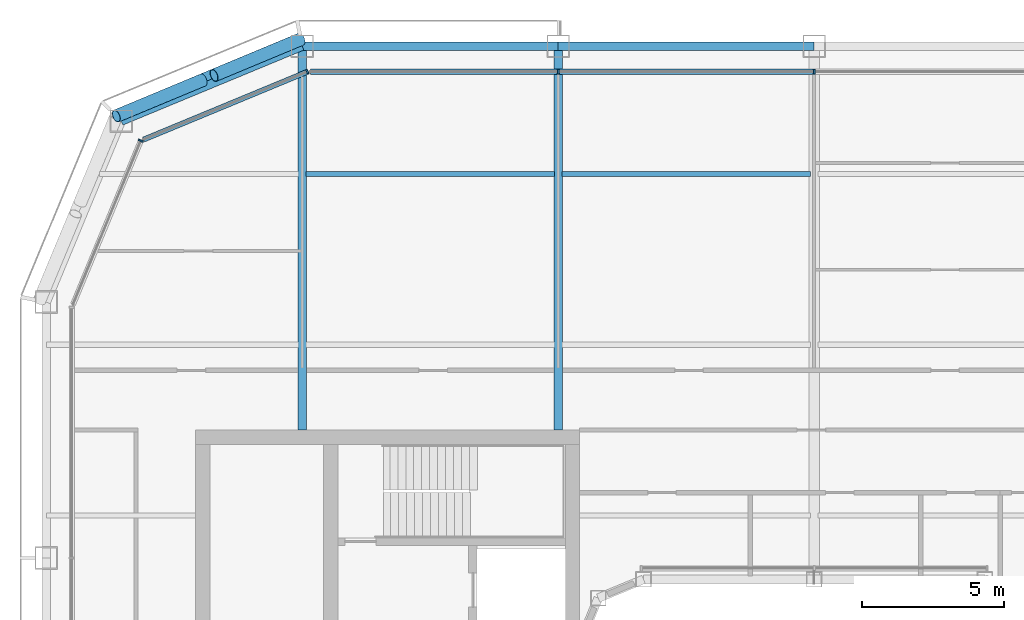
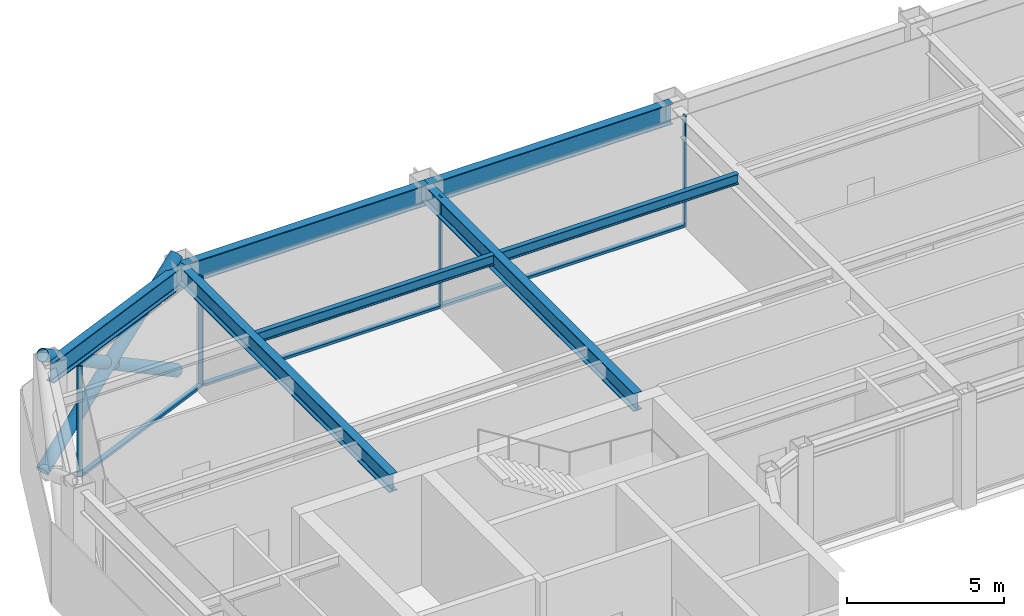
# One storey, part 8 of 23: 10 members, 7 beams, 3 elements without a shape of their own.
"""IFC4 building model written with IfcOpenShell, lengths in metres."""

from ifc_helpers import new_model, si_unit, direction, frame, origin, origin_2d, place, context, subcontext, project, spatial, rectangle, hollow_circle, i_section, extrude, material, layer, layer_set, material_profile, profile_set, type_object, element, aggregate, save


model = new_model("IFC4")

# Units and contexts
model_context = context("Model", 3, precision=1e-05, world=origin(), true_north=direction((0.0, 1.0)))
body_context = subcontext(model_context, "Body", "Model", "MODEL_VIEW")
ifc_project = project(units=[si_unit("LENGTHUNIT", "METRE"), si_unit("AREAUNIT", "SQUARE_METRE"), si_unit("VOLUMEUNIT", "CUBIC_METRE"), si_unit("PLANEANGLEUNIT", "RADIAN"), si_unit("MASSUNIT", "GRAM", prefix="KILO")], contexts=[model_context])

# Site, building, storey
site_placement = place(None, origin())
site = spatial("IfcSite", under=ifc_project, at=site_placement, CompositionType="ELEMENT")
building_placement = place(site_placement, origin())
building = spatial("IfcBuilding", under=site, at=building_placement, Name="Siwar Civic Tower", CompositionType="ELEMENT")
storey_placement = place(building_placement, frame((0.0, 0.0, 273.699951171875)))
storey = spatial("IfcBuildingStorey", under=building, at=storey_placement, Name="L59", CompositionType="ELEMENT", Elevation=273.699951171875)

# Curtain wall, members
ifc_material_1 = material(Name="Aluminium and glass", Category="aluminium")
ifc_layer_1 = layer(ifc_material_1, 0.179931640625)
ifc_layer_set_1 = layer_set([ifc_layer_1], Name="Aluminium and glass")
curtain_wall_type_1 = type_object("IfcCurtainWallType", Name="ENV-CW-C", PredefinedType="NOTDEFINED", material=ifc_layer_set_1)
curtain_wall_1_placement = place(storey_placement, origin())
curtain_wall_1 = element("IfcCurtainWall", 1, at=curtain_wall_1_placement, inside=storey, type_object=curtain_wall_type_1, Name="Curtain wall C N", PredefinedType="NOTDEFINED")
ifc_material_2 = material(Name="Aluminium 6063-T6", Category="aluminium")
ifc_material_profile_1 = material_profile(ifc_material_2, rectangle(XDim=0.179931640625, YDim=0.06005859375, at=origin_2d()), Name="AL 180x60")
ifc_profile_set_1 = profile_set([ifc_material_profile_1], Name="Aluminium 6063-T6")
member_type_1 = type_object("IfcMemberType", Name="ENV-MULLION-C", PredefinedType="MULLION", material=ifc_profile_set_1)
member_1_placement = place(storey_placement, frame((0.0, 26.10009765625, 0.0), z_axis=(0.0, 0.0, 1.0), x_axis=(0.0, -1.0, 0.0)))
member_1 = element("IfcMember", 2, at=member_1_placement, type_object=member_type_1, Name="Mullion C N 3", PredefinedType="MULLION", context=body_context, shape_type="SweptSolid", body=[
    extrude(rectangle(XDim=0.179931640625, YDim=0.06005859375, at=origin_2d()), origin(), (0.0, 0.0, 1.0), 4.300048828125),
])
member_2_placement = place(storey_placement, frame((-9.0, 26.10009765625, 0.0), z_axis=(0.0, 0.0, 1.0), x_axis=(0.0, -1.0, 0.0)))
member_2 = element("IfcMember", 3, at=member_2_placement, type_object=member_type_1, Name="Mullion C N 4", PredefinedType="MULLION", context=body_context, shape_type="SweptSolid", body=[
    extrude(rectangle(XDim=0.179931640625, YDim=0.06005859375, at=origin_2d()), origin(), (0.0, 0.0, 1.0), 4.300048828125),
])

# Curtain wall, member
ifc_material_3 = material(Name="Aluminium clad insulated panel", Category="aluminium")
ifc_layer_2 = layer(ifc_material_3, 0.179931640625)
ifc_layer_set_2 = layer_set([ifc_layer_2], Name="Aluminium clad insulated panel")
curtain_wall_type_2 = type_object("IfcCurtainWallType", Name="ENV-CW-CX", PredefinedType="NOTDEFINED", material=ifc_layer_set_2)
curtain_wall_2_placement = place(storey_placement, origin())
curtain_wall_2 = element("IfcCurtainWall", 4, at=curtain_wall_2_placement, inside=storey, type_object=curtain_wall_type_2, Name="Curtain wall C NW1", PredefinedType="NOTDEFINED")
member_3_placement = place(storey_placement, frame((-17.821044921875, 26.10009765625, 0.0), z_axis=(0.0, 0.0, 1.0), x_axis=(0.382683432365, -0.923879532511, 0.0)))
member_3 = element("IfcMember", 5, at=member_3_placement, type_object=member_type_1, Name="Mullion C NW1 1", PredefinedType="MULLION", context=body_context, shape_type="SweptSolid", body=[
    extrude(rectangle(XDim=0.179931640625, YDim=0.06005859375, at=origin_2d()), origin(), (0.0, 0.0, 1.0), 4.300048828125),
])

curtain_wall_3_placement = place(storey_placement, origin())
curtain_wall_3 = element("IfcCurtainWall", 6, at=curtain_wall_3_placement, inside=storey, type_object=curtain_wall_type_2, Name="Curtain wall C NW2", PredefinedType="NOTDEFINED")
member_4_placement = place(storey_placement, frame((-23.675048828125, 23.675048828125, 0.0), z_axis=(0.0, 0.0, 1.0), x_axis=(0.923879532511, -0.382683432365, 0.0)))
member_4 = element("IfcMember", 7, at=member_4_placement, type_object=member_type_1, Name="Mullion C NW2 1", PredefinedType="MULLION", context=body_context, shape_type="SweptSolid", body=[
    extrude(rectangle(XDim=0.179931640625, YDim=0.06005859375, at=origin_2d()), origin(), (0.0, 0.0, 1.0), 4.300048828125),
])
aggregate(curtain_wall_3, [member_4])

# Member
ifc_material_4 = material(Name="Aluminium 6063-T6", Category="aluminium")
ifc_material_profile_2 = material_profile(ifc_material_4, rectangle(XDim=0.179931640625, YDim=0.10009765625, at=origin_2d()), Name="AL 180x100")
ifc_profile_set_2 = profile_set([ifc_material_profile_2], Name="Aluminium 6063-T6")
member_type_2 = type_object("IfcMemberType", Name="ENV-TRANSOM-C", PredefinedType="USERDEFINED", material=ifc_profile_set_2)
member_5_placement = place(storey_placement, frame((-0.030029296875, 26.10009765625, 0.050048828125), z_axis=(-1.0, 0.0, 0.0), x_axis=(0.0, -1.0, 0.0)))
member_5 = element("IfcMember", 8, at=member_5_placement, type_object=member_type_2, Name="Transom C N 3", ObjectType="TRANSOM", PredefinedType="USERDEFINED", context=body_context, shape_type="SweptSolid", body=[
    extrude(rectangle(XDim=0.179931640625, YDim=0.10009765625, at=origin_2d()), origin(), (0.0, 0.0, 1.0), 8.93994140625),
])

member_6_placement = place(storey_placement, frame((-9.030029296875, 26.10009765625, 0.050048828125), z_axis=(-1.0, 0.0, 0.0), x_axis=(0.0, -1.0, 0.0)))
member_6 = element("IfcMember", 9, at=member_6_placement, type_object=member_type_2, Name="Transom C N 4", ObjectType="TRANSOM", PredefinedType="USERDEFINED", context=body_context, shape_type="SweptSolid", body=[
    extrude(rectangle(XDim=0.179931640625, YDim=0.10009765625, at=origin_2d()), origin(), (0.0, 0.0, 1.0), 8.68603515625),
])

aggregate(curtain_wall_1, [member_1, member_2, member_5, member_6])

member_7_placement = place(storey_placement, frame((-17.8486328125, 26.088623046875, 0.050048828125), z_axis=(-0.923882011223, -0.38267744817, 0.0), x_axis=(0.38267744817, -0.923882011223, 0.0)))
member_7 = element("IfcMember", 10, at=member_7_placement, type_object=member_type_2, Name="Transom C NW1 1", ObjectType="TRANSOM", PredefinedType="USERDEFINED", context=body_context, shape_type="SweptSolid", body=[
    extrude(rectangle(XDim=0.179931640625, YDim=0.10009765625, at=origin_2d()), origin(), (0.0, 0.0, 1.0), 6.201904296875),
])

aggregate(curtain_wall_2, [member_3, member_7])

# Members
ifc_material_5 = material(Name="Steel S355", Category="steel")
ifc_material_profile_3 = material_profile(ifc_material_5, hollow_circle(Radius=0.228515625, WallThickness=0.02001953125, at=origin_2d()), Name="CHS457x20")
ifc_profile_set_3 = profile_set([ifc_material_profile_3], Name="Steel S355")
member_type_3 = type_object("IfcMemberType", Name="STR-BR-CHS457x20", PredefinedType="BRACE", material=ifc_profile_set_3)
member_8_placement = place(storey_placement, frame((-24.540771484375, 24.540771484375, 0.0), z_axis=(0.777554562952, 0.323905527954, 0.538975055633), x_axis=(-0.384538969033, 0.923108759191, 0.0)))
element("IfcMember", 11, at=member_8_placement, inside=storey, type_object=member_type_3, Name="L59/brc/CNW1-19-0-0", PredefinedType="BRACE", context=body_context, shape_type="SweptSolid", body=[
    extrude(hollow_circle(Radius=0.228515625, WallThickness=0.02001953125, at=origin_2d()), origin(), (0.0, 0.0, 1.0), 8.34912109375),
])
for number, where, z_axis, x_axis, name in (
    (12, (-18.048828125, 27.2451171875, 0.0), (-0.777546448489, -0.323884455881, 0.538999424564), (0.38452107079, -0.92311621485, 0.0), "L59/brc/CNW1-19-0-4"),
    (13, (-21.486572265625, 25.81298828125, 2.383056640625), (-0.777572496853, -0.323895306243, 0.538955325357), (0.38452107079, -0.92311621485, 0.0), "L59/brc/CNW1-19-0-5"),
):
    element("IfcMember", number, at=place(storey_placement, frame(where, z_axis=z_axis, x_axis=x_axis)), inside=storey, type_object=member_type_3, Name=name, PredefinedType="BRACE", context=body_context, shape_type="SweptSolid", body=[
        extrude(hollow_circle(Radius=0.228515625, WallThickness=0.02001953125, at=origin_2d()), origin(), (0.0, 0.0, 1.0), 3.927978515625),
    ])

# Beams
ifc_material_6 = material(Name="Steel S355", Category="steel")
ifc_material_profile_4 = material_profile(ifc_material_6, i_section(OverallWidth=0.179931640625, OverallDepth=0.39990234375, WebThickness=0.008544921875, FlangeThickness=0.013427734375, FilletRadius=0.02099609375, at=origin_2d()), Name="IPE400")
ifc_profile_set_4 = profile_set([ifc_material_profile_4], Name="Steel S355")
beam_type_1 = type_object("IfcBeamType", Name="STR-FB-IPE400", PredefinedType="JOIST", material=ifc_profile_set_4)
for number, where, z_axis, x_axis, name in (
    (14, (-17.8701171875, 22.5, 4.10009765625), (1.0, 0.0, 0.0), (0.0, 1.0, 0.0), "L59/bm/F038"),
    (15, (-8.8701171875, 22.5, 4.10009765625), (1.0, 0.0, 0.0), (0.0, 1.0, 0.0), "L59/bm/F039"),
):
    element("IfcBeam", number, at=place(storey_placement, frame(where, z_axis=z_axis, x_axis=x_axis)), inside=storey, type_object=beam_type_1, Name=name, PredefinedType="JOIST", context=body_context, shape_type="SweptSolid", body=[
        extrude(i_section(OverallWidth=0.179931640625, OverallDepth=0.39990234375, WebThickness=0.008544921875, FlangeThickness=0.013427734375, FilletRadius=0.02099609375, at=origin_2d()), origin(), (0.0, 0.0, 1.0), 8.740234375),
    ])
ifc_material_7 = material(Name="Steel S355", Category="steel")
ifc_material_profile_5 = material_profile(ifc_material_7, i_section(OverallWidth=0.300048828125, OverallDepth=0.699951171875, WebThickness=0.01708984375, FlangeThickness=0.031982421875, FilletRadius=0.027099609375, at=origin_2d()), Name="HEB700")
ifc_profile_set_5 = profile_set([ifc_material_profile_5], Name="Steel S355")
beam_type_2 = type_object("IfcBeamType", Name="STR-PG-HEB700", PredefinedType="BEAM", material=ifc_profile_set_5)
for number, where, z_axis, x_axis, name in (
    (16, (-18.0, 13.5, 3.949951171875), (0.0, 1.0, 0.0), (-1.0, 0.0, 0.0), "L59/bm/G02"),
    (17, (-9.0, 13.5, 3.949951171875), (0.0, 1.0, 0.0), (-1.0, 0.0, 0.0), "L59/bm/G04"),
):
    element("IfcBeam", number, at=place(storey_placement, frame(where, z_axis=z_axis, x_axis=x_axis)), inside=storey, type_object=beam_type_2, Name=name, PredefinedType="BEAM", context=body_context, shape_type="SweptSolid", body=[
        extrude(i_section(OverallWidth=0.300048828125, OverallDepth=0.699951171875, WebThickness=0.01708984375, FlangeThickness=0.031982421875, FilletRadius=0.027099609375, at=origin_2d()), origin(), (0.0, 0.0, 1.0), 13.5),
    ])
ifc_material_8 = material(Name="Steel S355", Category="steel")
ifc_material_profile_6 = material_profile(ifc_material_8, i_section(OverallWidth=0.300048828125, OverallDepth=0.800048828125, WebThickness=0.017578125, FlangeThickness=0.032958984375, FilletRadius=0.030029296875, at=origin_2d()), Name="HEB800")
ifc_profile_set_6 = profile_set([ifc_material_profile_6], Name="Steel S355")
beam_type_3 = type_object("IfcBeamType", Name="STR-SB-HEB800", PredefinedType="BEAM", material=ifc_profile_set_6)
for number, where, z_axis, x_axis, name in (
    (18, (0.0, 27.0, 3.900146484375), (-1.0, 0.0, 0.0), (0.0, -1.0, 0.0), "L59/bm/SN-2"),
    (19, (-9.0, 27.0, 3.900146484375), (-1.0, 0.0, 0.0), (0.0, -1.0, 0.0), "L59/bm/SN-3"),
):
    element("IfcBeam", number, at=place(storey_placement, frame(where, z_axis=z_axis, x_axis=x_axis)), inside=storey, type_object=beam_type_3, Name=name, PredefinedType="BEAM", context=body_context, shape_type="SweptSolid", body=[
        extrude(i_section(OverallWidth=0.300048828125, OverallDepth=0.800048828125, WebThickness=0.017578125, FlangeThickness=0.032958984375, FilletRadius=0.030029296875, at=origin_2d()), origin(), (0.0, 0.0, 1.0), 9.0),
    ])
beam_placement = place(storey_placement, frame((-18.0, 27.0, 3.900146484375), z_axis=(-0.923883353507, -0.382674207535, 0.0), x_axis=(0.382674207535, -0.923883353507, 0.0)))
element("IfcBeam", 20, at=beam_placement, inside=storey, type_object=beam_type_3, Name="L59/bm/SNW1-0", PredefinedType="BEAM", context=body_context, shape_type="SweptSolid", body=[
    extrude(i_section(OverallWidth=0.300048828125, OverallDepth=0.800048828125, WebThickness=0.017578125, FlangeThickness=0.032958984375, FilletRadius=0.030029296875, at=origin_2d()), origin(), (0.0, 0.0, 1.0), 6.888427734375),
])

save(model, "model.ifc")
